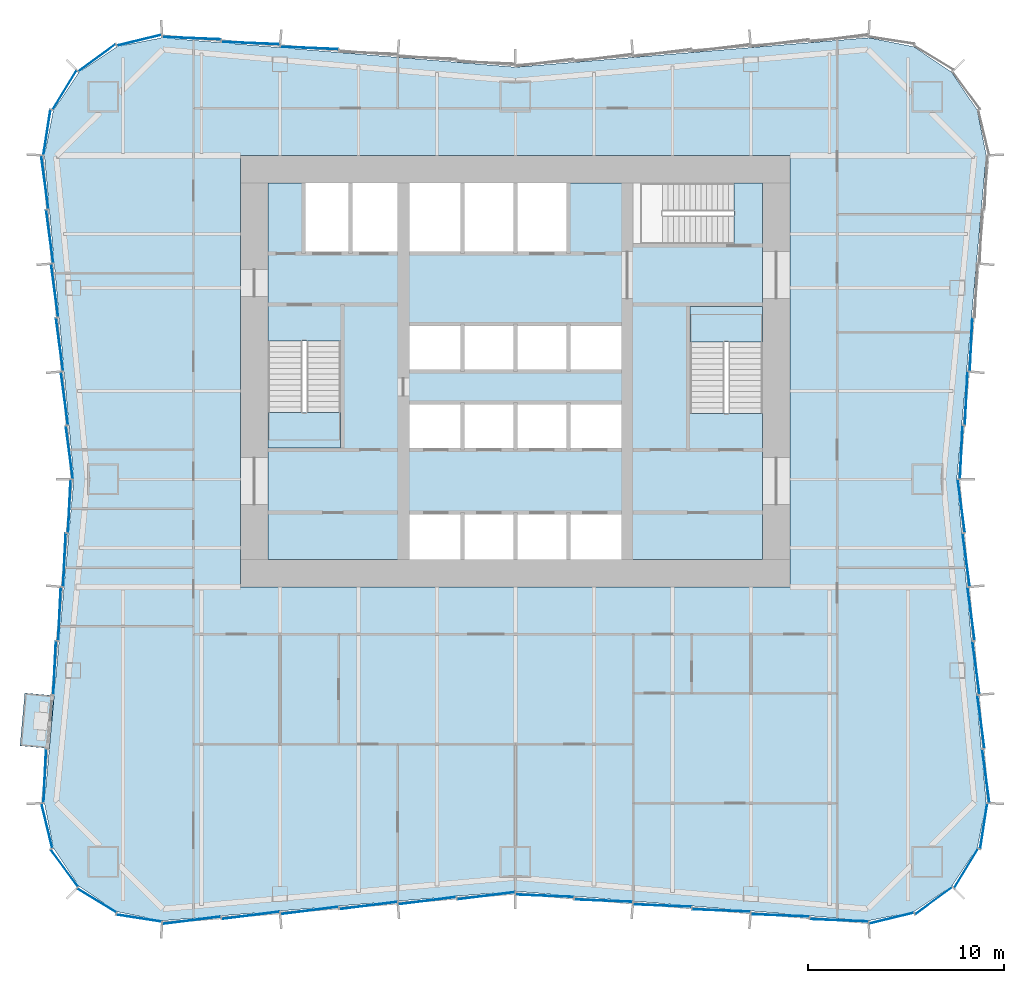
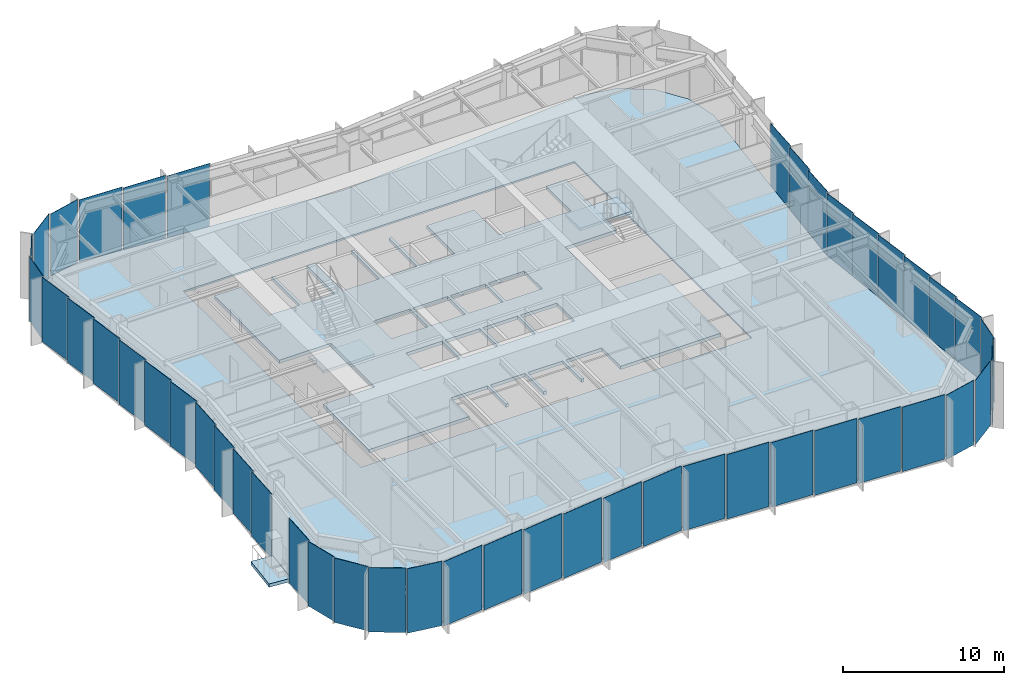
# One storey, part 8 of 14: 47 plates, 5 slabs, 9 elements without a shape of their own.
"""IFC4 building model written with IfcOpenShell, lengths in metres."""

from ifc_helpers import new_model, si_unit, direction, frame, origin, origin_2d, place, context, subcontext, project, spatial, polyline, rectangle, outline, extrude, material, layer, layer_set, type_object, element, aggregate, save


model = new_model("IFC4")

# Units and contexts
model_context = context("Model", 3, precision=1e-05, world=origin(), true_north=direction((0.0, 1.0)))
body_context = subcontext(model_context, "Body", "Model", "MODEL_VIEW")
ifc_project = project(units=[si_unit("LENGTHUNIT", "METRE"), si_unit("AREAUNIT", "SQUARE_METRE"), si_unit("VOLUMEUNIT", "CUBIC_METRE"), si_unit("PLANEANGLEUNIT", "RADIAN"), si_unit("MASSUNIT", "GRAM", prefix="KILO")], contexts=[model_context])

# Site, building, storey
site_placement = place(None, origin())
site = spatial("IfcSite", under=ifc_project, at=site_placement, CompositionType="ELEMENT")
building_placement = place(site_placement, origin())
building = spatial("IfcBuilding", under=site, at=building_placement, Name="Verdant Reach Tower", CompositionType="ELEMENT")
storey_placement = place(building_placement, frame((0.0, 0.0, 9.0)))
storey = spatial("IfcBuildingStorey", under=building, at=storey_placement, Name="L01", CompositionType="ELEMENT", Elevation=9.0)

# Stair, slab
ifc_material_1 = material(Name="Concrete C40/50", Category="concrete")
stair_type = type_object("IfcStairType", Name="CO-STAIR", PredefinedType="HALF_TURN_STAIR", material=ifc_material_1)
stair_1_placement = place(storey_placement, origin())
stair_1 = element("IfcStair", 1, at=stair_1_placement, inside=storey, type_object=stair_type, Name="L01 Exit stair 1", PredefinedType="HALF_TURN_STAIR")
ifc_layer_1 = layer(ifc_material_1, 0.199951171875)
ifc_layer_set_1 = layer_set([ifc_layer_1], Name="CO-STAIR-LANDING")
slab_type_1 = type_object("IfcSlabType", Name="CO-STAIR-LANDING", PredefinedType="LANDING", material=ifc_layer_set_1)
slab_1_placement = place(storey_placement, frame((0.0, 0.0, 2.300048828125)))
slab_1 = element("IfcSlab", 2, at=slab_1_placement, type_object=slab_type_1, Name="ST-1 landing 1", PredefinedType="LANDING", context=body_context, shape_type="SweptSolid", body=[
    extrude(outline(polyline([(-12.60009765625, 25.909912109375), (-12.60009765625, 24.10009765625), (-8.89990234375, 24.10009765625), (-8.89990234375, 25.909912109375), (-12.60009765625, 25.909912109375)])), origin(), (0.0, 0.0, 1.0), 0.199951171875),
])
aggregate(stair_1, [slab_1])

stair_2_placement = place(storey_placement, origin())
stair_2 = element("IfcStair", 3, at=stair_2_placement, inside=storey, type_object=stair_type, Name="L01 Exit stair 2", PredefinedType="HALF_TURN_STAIR")
slab_2_placement = place(storey_placement, frame((0.0, 0.0, 2.300048828125)))
slab_2 = element("IfcSlab", 4, at=slab_2_placement, type_object=slab_type_1, Name="ST-2 landing 1", PredefinedType="LANDING", context=body_context, shape_type="SweptSolid", body=[
    extrude(outline(polyline([(12.60009765625, 29.489990234375), (12.60009765625, 31.300048828125), (8.89990234375, 31.300048828125), (8.89990234375, 29.489990234375), (12.60009765625, 29.489990234375)])), origin(), (0.0, 0.0, 1.0), 0.199951171875),
])
aggregate(stair_2, [slab_2])

# Slab
ifc_material_2 = material(Name="Concrete C35/45", Category="concrete")
ifc_layer_2 = layer(ifc_material_2, 0.25)
ifc_layer_set_2 = layer_set([ifc_layer_2], Name="EN-BALCONY SLAB")
slab_type_2 = type_object("IfcSlabType", Name="EN-BALCONY SLAB", PredefinedType="FLOOR", material=ifc_layer_set_2)
slab_3_placement = place(storey_placement, frame((0.0, 0.0, -0.25)))
element("IfcSlab", 5, at=slab_3_placement, inside=storey, type_object=slab_type_2, Name="Balcony slab 1, L01", PredefinedType="FLOOR", context=body_context, shape_type="SweptSolid", body=[
    extrude(outline(polyline([(-23.502685546875, 11.47021484375), (-23.747314453125, 8.77978515625), (-25.2412109375, 8.915771484375), (-24.99658203125, 11.60595703125), (-23.502685546875, 11.47021484375)])), origin(), (0.0, 0.0, 1.0), 0.25),
])

# Curtain wall, plate
ifc_material_3 = material(Name="Anodised aluminium", Category="aluminium")
curtain_wall_type = type_object("IfcCurtainWallType", Name="EN-CW SYSTEM Z0", PredefinedType="NOTDEFINED", material=ifc_material_3)
curtain_wall_1_placement = place(storey_placement, origin())
curtain_wall_1 = element("IfcCurtainWall", 6, at=curtain_wall_1_placement, inside=storey, type_object=curtain_wall_type, Name="Curtain wall south-east corner, L01", PredefinedType="NOTDEFINED")
ifc_material_4 = material(Name="Tinted glass with champagne spandrel", Category="glass")
ifc_layer_3 = layer(ifc_material_4, 0.031982421875)
ifc_layer_set_3 = layer_set([ifc_layer_3], Name="EN-PANEL CHAMPAGNE")
plate_type_1 = type_object("IfcPlateType", Name="EN-PANEL CHAMPAGNE", PredefinedType="CURTAIN_PANEL", material=ifc_layer_set_3)
plate_1_placement = place(storey_placement, frame((23.86767578125, 4.830078125, -0.22998046875), z_axis=(0.0, 0.0, 1.0), x_axis=(0.154210737778, 0.988037979206, 0.0)))
plate_1 = element("IfcPlate", 7, at=plate_1_placement, type_object=plate_type_1, Name="Glass panel south-east corner 4.1, L01", PredefinedType="CURTAIN_PANEL", context=body_context, shape_type="SweptSolid", body=[
    extrude(rectangle(XDim=2.31884765625, YDim=0.031982421875, at=origin_2d()), origin(), (0.0, 0.0, 1.0), 4.8798828125),
])

# Curtain wall, plates
curtain_wall_2_placement = place(storey_placement, origin())
curtain_wall_2 = element("IfcCurtainWall", 8, at=curtain_wall_2_placement, inside=storey, type_object=curtain_wall_type, Name="Curtain wall east, L01", PredefinedType="NOTDEFINED")
plate_2_placement = place(storey_placement, frame((23.724609375, 10.134033203125, -0.22998046875), z_axis=(0.0, 0.0, 1.0), x_axis=(-0.132160009881, 0.99122839537, 0.0)))
plate_2 = element("IfcPlate", 9, at=plate_2_placement, type_object=plate_type_1, Name="Glass panel east face part 1 2.1, L01", PredefinedType="CURTAIN_PANEL", context=body_context, shape_type="SweptSolid", body=[
    extrude(rectangle(XDim=2.705322265625, YDim=0.031982421875, at=origin_2d()), origin(), (0.0, 0.0, 1.0), 4.8798828125),
])
plate_3_placement = place(storey_placement, frame((23.474609375, 12.884033203125, -0.22998046875), z_axis=(0.0, 0.0, 1.0), x_axis=(-0.132160009881, 0.99122839537, 0.0)))
plate_3 = element("IfcPlate", 10, at=plate_3_placement, type_object=plate_type_1, Name="Glass panel east face part 1 3.1, L01", PredefinedType="CURTAIN_PANEL", context=body_context, shape_type="SweptSolid", body=[
    extrude(rectangle(XDim=2.705322265625, YDim=0.031982421875, at=origin_2d()), origin(), (0.0, 0.0, 1.0), 4.8798828125),
])
plate_4_placement = place(storey_placement, frame((23.224609375, 29.365966796875, -0.22998046875), z_axis=(0.0, 0.0, 1.0), x_axis=(0.04875265175, 0.998810882473, 0.0)))
plate_4 = element("IfcPlate", 11, at=plate_4_placement, type_object=plate_type_1, Name="Glass panel east face part 2 3.1, L01", PredefinedType="CURTAIN_PANEL", context=body_context, shape_type="SweptSolid", body=[
    extrude(rectangle(XDim=2.705322265625, YDim=0.031982421875, at=origin_2d()), origin(), (0.0, 0.0, 1.0), 4.8798828125),
])

curtain_wall_3_placement = place(storey_placement, origin())
curtain_wall_3 = element("IfcCurtainWall", 12, at=curtain_wall_3_placement, inside=storey, type_object=curtain_wall_type, Name="Curtain wall north-west corner, L01", PredefinedType="NOTDEFINED")
plate_5_placement = place(storey_placement, frame((-19.169921875, 44.86767578125, -0.22998046875), z_axis=(0.0, 0.0, 1.0), x_axis=(-0.97166347331, -0.236368556782, 0.0)))
plate_5 = element("IfcPlate", 13, at=plate_5_placement, type_object=plate_type_1, Name="Glass panel north-west corner 1.1, L01", PredefinedType="CURTAIN_PANEL", context=body_context, shape_type="SweptSolid", body=[
    extrude(rectangle(XDim=2.318603515625, YDim=0.031982421875, at=origin_2d()), origin(), (0.0, 0.0, 1.0), 4.8798828125),
])
plate_6_placement = place(storey_placement, frame((-21.32373046875, 43.974609375, -0.22998046875), z_axis=(0.0, 0.0, 1.0), x_axis=(-0.807456745624, -0.589926778461, 0.0)))
plate_6 = element("IfcPlate", 14, at=plate_6_placement, type_object=plate_type_1, Name="Glass panel north-west corner 2.1, L01", PredefinedType="CURTAIN_PANEL", context=body_context, shape_type="SweptSolid", body=[
    extrude(rectangle(XDim=2.32421875, YDim=0.031982421875, at=origin_2d()), origin(), (0.0, 0.0, 1.0), 4.8798828125),
])

curtain_wall_4_placement = place(storey_placement, origin())
curtain_wall_4 = element("IfcCurtainWall", 15, at=curtain_wall_4_placement, inside=storey, type_object=curtain_wall_type, Name="Curtain wall west, L01", PredefinedType="NOTDEFINED")
plate_7_placement = place(storey_placement, frame((-22.724853515625, 23.870361328125, -0.22998046875), z_axis=(0.0, 0.0, 1.0), x_axis=(0.132307913434, -0.991208664229, 0.0)))
plate_7 = element("IfcPlate", 16, at=plate_7_placement, type_object=plate_type_1, Name="Glass panel west face part 1 6.1, L01", PredefinedType="CURTAIN_PANEL", context=body_context, shape_type="SweptSolid", body=[
    extrude(rectangle(XDim=2.6962890625, YDim=0.031982421875, at=origin_2d()), origin(), (0.0, 0.0, 1.0), 4.8798828125),
])
plate_8_placement = place(storey_placement, frame((-22.724853515625, 21.129638671875, -0.22998046875), z_axis=(0.0, 0.0, 1.0), x_axis=(-0.048901687644, -0.998803596782, 0.0)))
plate_8 = element("IfcPlate", 17, at=plate_8_placement, type_object=plate_type_1, Name="Glass panel west face part 2 1.1, L01", PredefinedType="CURTAIN_PANEL", context=body_context, shape_type="SweptSolid", body=[
    extrude(rectangle(XDim=2.6962890625, YDim=0.031982421875, at=origin_2d()), origin(), (0.0, 0.0, 1.0), 4.8798828125),
])

curtain_wall_5_placement = place(storey_placement, origin())
curtain_wall_5 = element("IfcCurtainWall", 18, at=curtain_wall_5_placement, inside=storey, type_object=curtain_wall_type, Name="Curtain wall south, L01", PredefinedType="NOTDEFINED")
plate_9_placement = place(storey_placement, frame((-7.49169921875, 0.775390625, -0.22998046875), z_axis=(0.0, 0.0, 1.0), x_axis=(0.992194034542, 0.124703639961, 0.0)))
plate_9 = element("IfcPlate", 19, at=plate_9_placement, type_object=plate_type_1, Name="Glass panel south face part 1 4.1, L01", PredefinedType="CURTAIN_PANEL", context=body_context, shape_type="SweptSolid", body=[
    extrude(rectangle(XDim=2.954345703125, YDim=0.031982421875, at=origin_2d()), origin(), (0.0, 0.0, 1.0), 4.8798828125),
])
plate_10_placement = place(storey_placement, frame((-4.49169921875, 1.025390625, -0.22998046875), z_axis=(0.0, 0.0, 1.0), x_axis=(0.992194034542, 0.124703639961, 0.0)))
plate_10 = element("IfcPlate", 20, at=plate_10_placement, type_object=plate_type_1, Name="Glass panel south face part 1 5.1, L01", PredefinedType="CURTAIN_PANEL", context=body_context, shape_type="SweptSolid", body=[
    extrude(rectangle(XDim=2.954345703125, YDim=0.031982421875, at=origin_2d()), origin(), (0.0, 0.0, 1.0), 4.8798828125),
])
plate_11_placement = place(storey_placement, frame((13.49169921875, 0.275390625, -0.22998046875), z_axis=(0.0, 0.0, 1.0), x_axis=(0.999149202059, -0.041241629766, 0.0)))
plate_11 = element("IfcPlate", 21, at=plate_11_placement, type_object=plate_type_1, Name="Glass panel south face part 2 5.1, L01", PredefinedType="CURTAIN_PANEL", context=body_context, shape_type="SweptSolid", body=[
    extrude(rectangle(XDim=2.954345703125, YDim=0.031982421875, at=origin_2d()), origin(), (0.0, 0.0, 1.0), 4.8798828125),
])
plate_12_placement = place(storey_placement, frame((16.498779296875, 0.025146484375, -0.22998046875), z_axis=(0.0, 0.0, 1.0), x_axis=(0.999162442933, -0.040919587398, 0.0)))
plate_12 = element("IfcPlate", 22, at=plate_12_placement, type_object=plate_type_1, Name="Glass panel south face part 2 6.1, L01", PredefinedType="CURTAIN_PANEL", context=body_context, shape_type="SweptSolid", body=[
    extrude(rectangle(XDim=2.96826171875, YDim=0.031982421875, at=origin_2d()), origin(), (0.0, 0.0, 1.0), 4.8798828125),
])

# Plate
ifc_material_5 = material(Name="Tinted glass with copper spandrel", Category="glass")
ifc_layer_4 = layer(ifc_material_5, 0.031982421875)
ifc_layer_set_4 = layer_set([ifc_layer_4], Name="EN-PANEL COPPER")
plate_type_2 = type_object("IfcPlateType", Name="EN-PANEL COPPER", PredefinedType="CURTAIN_PANEL", material=ifc_layer_set_4)
plate_13_placement = place(storey_placement, frame((23.224609375, 15.634033203125, -0.22998046875), z_axis=(0.0, 0.0, 1.0), x_axis=(-0.132160009881, 0.99122839537, 0.0)))
plate_13 = element("IfcPlate", 23, at=plate_13_placement, type_object=plate_type_2, Name="Glass panel east face part 1 4.1, L01", PredefinedType="CURTAIN_PANEL", context=body_context, shape_type="SweptSolid", body=[
    extrude(rectangle(XDim=2.705322265625, YDim=0.031982421875, at=origin_2d()), origin(), (0.0, 0.0, 1.0), 4.8798828125),
])

plate_14_placement = place(storey_placement, frame((22.974609375, 18.384033203125, -0.22998046875), z_axis=(0.0, 0.0, 1.0), x_axis=(-0.132160009881, 0.99122839537, 0.0)))
plate_14 = element("IfcPlate", 24, at=plate_14_placement, type_object=plate_type_2, Name="Glass panel east face part 1 5.1, L01", PredefinedType="CURTAIN_PANEL", context=body_context, shape_type="SweptSolid", body=[
    extrude(rectangle(XDim=2.705322265625, YDim=0.031982421875, at=origin_2d()), origin(), (0.0, 0.0, 1.0), 4.8798828125),
])

plate_15_placement = place(storey_placement, frame((22.724853515625, 21.129638671875, -0.22998046875), z_axis=(0.0, 0.0, 1.0), x_axis=(-0.132307913434, 0.991208664229, 0.0)))
plate_15 = element("IfcPlate", 25, at=plate_15_placement, type_object=plate_type_2, Name="Glass panel east face part 1 6.1, L01", PredefinedType="CURTAIN_PANEL", context=body_context, shape_type="SweptSolid", body=[
    extrude(rectangle(XDim=2.6962890625, YDim=0.031982421875, at=origin_2d()), origin(), (0.0, 0.0, 1.0), 4.8798828125),
])

# Curtain wall, plates
curtain_wall_6_placement = place(storey_placement, origin())
curtain_wall_6 = element("IfcCurtainWall", 26, at=curtain_wall_6_placement, inside=storey, type_object=curtain_wall_type, Name="Curtain wall north, L01", PredefinedType="NOTDEFINED")
plate_16_placement = place(storey_placement, frame((-10.49169921875, 44.474609375, -0.22998046875), z_axis=(0.0, 0.0, 1.0), x_axis=(-0.999149202059, 0.041241629766, 0.0)))
plate_16 = element("IfcPlate", 27, at=plate_16_placement, type_object=plate_type_2, Name="Glass panel north face part 2 4.1, L01", PredefinedType="CURTAIN_PANEL", context=body_context, shape_type="SweptSolid", body=[
    extrude(rectangle(XDim=2.954345703125, YDim=0.031982421875, at=origin_2d()), origin(), (0.0, 0.0, 1.0), 4.8798828125),
])
plate_17_placement = place(storey_placement, frame((-13.49169921875, 44.724609375, -0.22998046875), z_axis=(0.0, 0.0, 1.0), x_axis=(-0.999149202059, 0.041241629766, 0.0)))
plate_17 = element("IfcPlate", 28, at=plate_17_placement, type_object=plate_type_2, Name="Glass panel north face part 2 5.1, L01", PredefinedType="CURTAIN_PANEL", context=body_context, shape_type="SweptSolid", body=[
    extrude(rectangle(XDim=2.954345703125, YDim=0.031982421875, at=origin_2d()), origin(), (0.0, 0.0, 1.0), 4.8798828125),
])
plate_18_placement = place(storey_placement, frame((-16.498779296875, 44.974853515625, -0.22998046875), z_axis=(0.0, 0.0, 1.0), x_axis=(-0.999162442933, 0.040919587398, 0.0)))
plate_18 = element("IfcPlate", 29, at=plate_18_placement, type_object=plate_type_2, Name="Glass panel north face part 2 6.1, L01", PredefinedType="CURTAIN_PANEL", context=body_context, shape_type="SweptSolid", body=[
    extrude(rectangle(XDim=2.96826171875, YDim=0.031982421875, at=origin_2d()), origin(), (0.0, 0.0, 1.0), 4.8798828125),
])
aggregate(curtain_wall_6, [plate_16, plate_17, plate_18])

# Plate
plate_19_placement = place(storey_placement, frame((-22.974609375, 42.32373046875, -0.22998046875), z_axis=(0.0, 0.0, 1.0), x_axis=(-0.520291583159, -0.853988681713, 0.0)))
plate_19 = element("IfcPlate", 30, at=plate_19_placement, type_object=plate_type_2, Name="Glass panel north-west corner 3.1, L01", PredefinedType="CURTAIN_PANEL", context=body_context, shape_type="SweptSolid", body=[
    extrude(rectangle(XDim=2.32421875, YDim=0.031982421875, at=origin_2d()), origin(), (0.0, 0.0, 1.0), 4.8798828125),
])

plate_20_placement = place(storey_placement, frame((-23.86767578125, 40.169921875, -0.22998046875), z_axis=(0.0, 0.0, 1.0), x_axis=(-0.154210737778, -0.988037979206, 0.0)))
plate_20 = element("IfcPlate", 31, at=plate_20_placement, type_object=plate_type_2, Name="Glass panel north-west corner 4.1, L01", PredefinedType="CURTAIN_PANEL", context=body_context, shape_type="SweptSolid", body=[
    extrude(rectangle(XDim=2.31884765625, YDim=0.031982421875, at=origin_2d()), origin(), (0.0, 0.0, 1.0), 4.8798828125),
])

aggregate(curtain_wall_3, [plate_5, plate_6, plate_19, plate_20])

plate_21_placement = place(storey_placement, frame((-23.974609375, 37.623046875, -0.22998046875), z_axis=(0.0, 0.0, 1.0), x_axis=(0.131792939527, -0.991277267514, 0.0)))
plate_21 = element("IfcPlate", 32, at=plate_21_placement, type_object=plate_type_2, Name="Glass panel west face part 1 1.1, L01", PredefinedType="CURTAIN_PANEL", context=body_context, shape_type="SweptSolid", body=[
    extrude(rectangle(XDim=2.7197265625, YDim=0.031982421875, at=origin_2d()), origin(), (0.0, 0.0, 1.0), 4.8798828125),
])

plate_22_placement = place(storey_placement, frame((-23.724609375, 34.865966796875, -0.22998046875), z_axis=(0.0, 0.0, 1.0), x_axis=(0.132160009881, -0.99122839537, 0.0)))
plate_22 = element("IfcPlate", 33, at=plate_22_placement, type_object=plate_type_2, Name="Glass panel west face part 1 2.1, L01", PredefinedType="CURTAIN_PANEL", context=body_context, shape_type="SweptSolid", body=[
    extrude(rectangle(XDim=2.705322265625, YDim=0.031982421875, at=origin_2d()), origin(), (0.0, 0.0, 1.0), 4.8798828125),
])

plate_23_placement = place(storey_placement, frame((-22.974609375, 18.384033203125, -0.22998046875), z_axis=(0.0, 0.0, 1.0), x_axis=(-0.04875265175, -0.998810882473, 0.0)))
plate_23 = element("IfcPlate", 34, at=plate_23_placement, type_object=plate_type_2, Name="Glass panel west face part 2 2.1, L01", PredefinedType="CURTAIN_PANEL", context=body_context, shape_type="SweptSolid", body=[
    extrude(rectangle(XDim=2.705322265625, YDim=0.031982421875, at=origin_2d()), origin(), (0.0, 0.0, 1.0), 4.8798828125),
])

plate_24_placement = place(storey_placement, frame((-23.224609375, 15.634033203125, -0.22998046875), z_axis=(0.0, 0.0, 1.0), x_axis=(-0.04875265175, -0.998810882473, 0.0)))
plate_24 = element("IfcPlate", 35, at=plate_24_placement, type_object=plate_type_2, Name="Glass panel west face part 2 3.1, L01", PredefinedType="CURTAIN_PANEL", context=body_context, shape_type="SweptSolid", body=[
    extrude(rectangle(XDim=2.705322265625, YDim=0.031982421875, at=origin_2d()), origin(), (0.0, 0.0, 1.0), 4.8798828125),
])

plate_25_placement = place(storey_placement, frame((-23.474609375, 12.884033203125, -0.22998046875), z_axis=(0.0, 0.0, 1.0), x_axis=(-0.04875265175, -0.998810882473, 0.0)))
plate_25 = element("IfcPlate", 36, at=plate_25_placement, type_object=plate_type_2, Name="Glass panel west face part 2 4.1, L01", PredefinedType="CURTAIN_PANEL", context=body_context, shape_type="SweptSolid", body=[
    extrude(rectangle(XDim=2.705322265625, YDim=0.031982421875, at=origin_2d()), origin(), (0.0, 0.0, 1.0), 4.8798828125),
])

# Curtain wall, plates
curtain_wall_7_placement = place(storey_placement, origin())
curtain_wall_7 = element("IfcCurtainWall", 37, at=curtain_wall_7_placement, inside=storey, type_object=curtain_wall_type, Name="Curtain wall south-west corner, L01", PredefinedType="NOTDEFINED")
plate_26_placement = place(storey_placement, frame((-23.86767578125, 4.830078125, -0.22998046875), z_axis=(0.0, 0.0, 1.0), x_axis=(0.236346786246, -0.97166876899, 0.0)))
plate_26 = element("IfcPlate", 38, at=plate_26_placement, type_object=plate_type_2, Name="Glass panel south-west corner 1.1, L01", PredefinedType="CURTAIN_PANEL", context=body_context, shape_type="SweptSolid", body=[
    extrude(rectangle(XDim=2.31884765625, YDim=0.031982421875, at=origin_2d()), origin(), (0.0, 0.0, 1.0), 4.8798828125),
])
plate_27_placement = place(storey_placement, frame((-22.974609375, 2.67626953125, -0.22998046875), z_axis=(0.0, 0.0, 1.0), x_axis=(0.589926778461, -0.807456745624, 0.0)))
plate_27 = element("IfcPlate", 39, at=plate_27_placement, type_object=plate_type_2, Name="Glass panel south-west corner 2.1, L01", PredefinedType="CURTAIN_PANEL", context=body_context, shape_type="SweptSolid", body=[
    extrude(rectangle(XDim=2.32421875, YDim=0.031982421875, at=origin_2d()), origin(), (0.0, 0.0, 1.0), 4.8798828125),
])

# Plate
plate_28_placement = place(storey_placement, frame((-1.495849609375, 1.275146484375, -0.22998046875), z_axis=(0.0, 0.0, 1.0), x_axis=(0.992179679439, 0.124817802047, 0.0)))
plate_28 = element("IfcPlate", 40, at=plate_28_placement, type_object=plate_type_2, Name="Glass panel south face part 1 6.1, L01", PredefinedType="CURTAIN_PANEL", context=body_context, shape_type="SweptSolid", body=[
    extrude(rectangle(XDim=2.946044921875, YDim=0.031982421875, at=origin_2d()), origin(), (0.0, 0.0, 1.0), 4.8798828125),
])

plate_29_placement = place(storey_placement, frame((1.495849609375, 1.275146484375, -0.22998046875), z_axis=(0.0, 0.0, 1.0), x_axis=(0.999144450138, -0.041356592674, 0.0)))
plate_29 = element("IfcPlate", 41, at=plate_29_placement, type_object=plate_type_2, Name="Glass panel south face part 2 1.1, L01", PredefinedType="CURTAIN_PANEL", context=body_context, shape_type="SweptSolid", body=[
    extrude(rectangle(XDim=2.946044921875, YDim=0.031982421875, at=origin_2d()), origin(), (0.0, 0.0, 1.0), 4.8798828125),
])

plate_30_placement = place(storey_placement, frame((4.49169921875, 1.025390625, -0.22998046875), z_axis=(0.0, 0.0, 1.0), x_axis=(0.999149202059, -0.041241629766, 0.0)))
plate_30 = element("IfcPlate", 42, at=plate_30_placement, type_object=plate_type_2, Name="Glass panel south face part 2 2.1, L01", PredefinedType="CURTAIN_PANEL", context=body_context, shape_type="SweptSolid", body=[
    extrude(rectangle(XDim=2.954345703125, YDim=0.031982421875, at=origin_2d()), origin(), (0.0, 0.0, 1.0), 4.8798828125),
])

ifc_material_6 = material(Name="Tinted glass with dark bronze spandrel", Category="glass")
ifc_layer_5 = layer(ifc_material_6, 0.031982421875)
ifc_layer_set_5 = layer_set([ifc_layer_5], Name="EN-PANEL DARK")
plate_type_3 = type_object("IfcPlateType", Name="EN-PANEL DARK", PredefinedType="CURTAIN_PANEL", material=ifc_layer_set_5)
plate_31_placement = place(storey_placement, frame((19.169921875, 0.13232421875, -0.22998046875), z_axis=(0.0, 0.0, 1.0), x_axis=(0.97166347331, 0.236368556782, 0.0)))
plate_31 = element("IfcPlate", 43, at=plate_31_placement, type_object=plate_type_3, Name="Glass panel south-east corner 1.1, L01", PredefinedType="CURTAIN_PANEL", context=body_context, shape_type="SweptSolid", body=[
    extrude(rectangle(XDim=2.318603515625, YDim=0.031982421875, at=origin_2d()), origin(), (0.0, 0.0, 1.0), 4.8798828125),
])

plate_32_placement = place(storey_placement, frame((21.32373046875, 1.025390625, -0.22998046875), z_axis=(0.0, 0.0, 1.0), x_axis=(0.807456745624, 0.589926778461, 0.0)))
plate_32 = element("IfcPlate", 44, at=plate_32_placement, type_object=plate_type_3, Name="Glass panel south-east corner 2.1, L01", PredefinedType="CURTAIN_PANEL", context=body_context, shape_type="SweptSolid", body=[
    extrude(rectangle(XDim=2.32421875, YDim=0.031982421875, at=origin_2d()), origin(), (0.0, 0.0, 1.0), 4.8798828125),
])

plate_33_placement = place(storey_placement, frame((22.974609375, 2.67626953125, -0.22998046875), z_axis=(0.0, 0.0, 1.0), x_axis=(0.520291583159, 0.853988681713, 0.0)))
plate_33 = element("IfcPlate", 45, at=plate_33_placement, type_object=plate_type_3, Name="Glass panel south-east corner 3.1, L01", PredefinedType="CURTAIN_PANEL", context=body_context, shape_type="SweptSolid", body=[
    extrude(rectangle(XDim=2.32421875, YDim=0.031982421875, at=origin_2d()), origin(), (0.0, 0.0, 1.0), 4.8798828125),
])

aggregate(curtain_wall_1, [plate_31, plate_32, plate_33, plate_1])

plate_34_placement = place(storey_placement, frame((23.974609375, 7.376953125, -0.22998046875), z_axis=(0.0, 0.0, 1.0), x_axis=(-0.131792939527, 0.991277267514, 0.0)))
plate_34 = element("IfcPlate", 46, at=plate_34_placement, type_object=plate_type_3, Name="Glass panel east face part 1 1.1, L01", PredefinedType="CURTAIN_PANEL", context=body_context, shape_type="SweptSolid", body=[
    extrude(rectangle(XDim=2.7197265625, YDim=0.031982421875, at=origin_2d()), origin(), (0.0, 0.0, 1.0), 4.8798828125),
])

plate_35_placement = place(storey_placement, frame((22.724853515625, 23.870361328125, -0.22998046875), z_axis=(0.0, 0.0, 1.0), x_axis=(0.048901687644, 0.998803596782, 0.0)))
plate_35 = element("IfcPlate", 47, at=plate_35_placement, type_object=plate_type_3, Name="Glass panel east face part 2 1.1, L01", PredefinedType="CURTAIN_PANEL", context=body_context, shape_type="SweptSolid", body=[
    extrude(rectangle(XDim=2.6962890625, YDim=0.031982421875, at=origin_2d()), origin(), (0.0, 0.0, 1.0), 4.8798828125),
])

plate_36_placement = place(storey_placement, frame((22.974609375, 26.615966796875, -0.22998046875), z_axis=(0.0, 0.0, 1.0), x_axis=(0.04875265175, 0.998810882473, 0.0)))
plate_36 = element("IfcPlate", 48, at=plate_36_placement, type_object=plate_type_3, Name="Glass panel east face part 2 2.1, L01", PredefinedType="CURTAIN_PANEL", context=body_context, shape_type="SweptSolid", body=[
    extrude(rectangle(XDim=2.705322265625, YDim=0.031982421875, at=origin_2d()), origin(), (0.0, 0.0, 1.0), 4.8798828125),
])

aggregate(curtain_wall_2, [plate_34, plate_2, plate_3, plate_13, plate_14, plate_15, plate_35, plate_36, plate_4])

plate_37_placement = place(storey_placement, frame((-23.474609375, 32.115966796875, -0.22998046875), z_axis=(0.0, 0.0, 1.0), x_axis=(0.132160009881, -0.99122839537, 0.0)))
plate_37 = element("IfcPlate", 49, at=plate_37_placement, type_object=plate_type_3, Name="Glass panel west face part 1 3.1, L01", PredefinedType="CURTAIN_PANEL", context=body_context, shape_type="SweptSolid", body=[
    extrude(rectangle(XDim=2.705322265625, YDim=0.031982421875, at=origin_2d()), origin(), (0.0, 0.0, 1.0), 4.8798828125),
])

plate_38_placement = place(storey_placement, frame((-23.224609375, 29.365966796875, -0.22998046875), z_axis=(0.0, 0.0, 1.0), x_axis=(0.132160009881, -0.99122839537, 0.0)))
plate_38 = element("IfcPlate", 50, at=plate_38_placement, type_object=plate_type_3, Name="Glass panel west face part 1 4.1, L01", PredefinedType="CURTAIN_PANEL", context=body_context, shape_type="SweptSolid", body=[
    extrude(rectangle(XDim=2.705322265625, YDim=0.031982421875, at=origin_2d()), origin(), (0.0, 0.0, 1.0), 4.8798828125),
])

plate_39_placement = place(storey_placement, frame((-22.974609375, 26.615966796875, -0.22998046875), z_axis=(0.0, 0.0, 1.0), x_axis=(0.132160009881, -0.99122839537, 0.0)))
plate_39 = element("IfcPlate", 51, at=plate_39_placement, type_object=plate_type_3, Name="Glass panel west face part 1 5.1, L01", PredefinedType="CURTAIN_PANEL", context=body_context, shape_type="SweptSolid", body=[
    extrude(rectangle(XDim=2.705322265625, YDim=0.031982421875, at=origin_2d()), origin(), (0.0, 0.0, 1.0), 4.8798828125),
])

plate_40_placement = place(storey_placement, frame((-23.974609375, 7.376953125, -0.22998046875), z_axis=(0.0, 0.0, 1.0), x_axis=(-0.048382779248, -0.998828867561, 0.0)))
plate_40 = element("IfcPlate", 52, at=plate_40_placement, type_object=plate_type_3, Name="Glass panel west face part 2 6.1, L01", PredefinedType="CURTAIN_PANEL", context=body_context, shape_type="SweptSolid", body=[
    extrude(rectangle(XDim=2.7197265625, YDim=0.031982421875, at=origin_2d()), origin(), (0.0, 0.0, 1.0), 4.8798828125),
])

aggregate(curtain_wall_4, [plate_21, plate_22, plate_37, plate_38, plate_39, plate_7, plate_8, plate_23, plate_24, plate_25, plate_40])

plate_41_placement = place(storey_placement, frame((-21.32373046875, 1.025390625, -0.22998046875), z_axis=(0.0, 0.0, 1.0), x_axis=(0.853988681713, -0.520291583159, 0.0)))
plate_41 = element("IfcPlate", 53, at=plate_41_placement, type_object=plate_type_3, Name="Glass panel south-west corner 3.1, L01", PredefinedType="CURTAIN_PANEL", context=body_context, shape_type="SweptSolid", body=[
    extrude(rectangle(XDim=2.32421875, YDim=0.031982421875, at=origin_2d()), origin(), (0.0, 0.0, 1.0), 4.8798828125),
])

plate_42_placement = place(storey_placement, frame((-19.169921875, 0.13232421875, -0.22998046875), z_axis=(0.0, 0.0, 1.0), x_axis=(0.98803452381, -0.154232875093, 0.0)))
plate_42 = element("IfcPlate", 54, at=plate_42_placement, type_object=plate_type_3, Name="Glass panel south-west corner 4.1, L01", PredefinedType="CURTAIN_PANEL", context=body_context, shape_type="SweptSolid", body=[
    extrude(rectangle(XDim=2.318603515625, YDim=0.031982421875, at=origin_2d()), origin(), (0.0, 0.0, 1.0), 4.8798828125),
])

aggregate(curtain_wall_7, [plate_26, plate_27, plate_41, plate_42])

plate_43_placement = place(storey_placement, frame((-16.498779296875, 0.025146484375, -0.22998046875), z_axis=(0.0, 0.0, 1.0), x_axis=(0.992234176789, 0.124383835008, 0.0)))
plate_43 = element("IfcPlate", 55, at=plate_43_placement, type_object=plate_type_3, Name="Glass panel south face part 1 1.1, L01", PredefinedType="CURTAIN_PANEL", context=body_context, shape_type="SweptSolid", body=[
    extrude(rectangle(XDim=2.96826171875, YDim=0.031982421875, at=origin_2d()), origin(), (0.0, 0.0, 1.0), 4.8798828125),
])

plate_44_placement = place(storey_placement, frame((-13.49169921875, 0.275390625, -0.22998046875), z_axis=(0.0, 0.0, 1.0), x_axis=(0.992194034542, 0.124703639961, 0.0)))
plate_44 = element("IfcPlate", 56, at=plate_44_placement, type_object=plate_type_3, Name="Glass panel south face part 1 2.1, L01", PredefinedType="CURTAIN_PANEL", context=body_context, shape_type="SweptSolid", body=[
    extrude(rectangle(XDim=2.954345703125, YDim=0.031982421875, at=origin_2d()), origin(), (0.0, 0.0, 1.0), 4.8798828125),
])

plate_45_placement = place(storey_placement, frame((-10.49169921875, 0.525390625, -0.22998046875), z_axis=(0.0, 0.0, 1.0), x_axis=(0.992194034542, 0.124703639961, 0.0)))
plate_45 = element("IfcPlate", 57, at=plate_45_placement, type_object=plate_type_3, Name="Glass panel south face part 1 3.1, L01", PredefinedType="CURTAIN_PANEL", context=body_context, shape_type="SweptSolid", body=[
    extrude(rectangle(XDim=2.954345703125, YDim=0.031982421875, at=origin_2d()), origin(), (0.0, 0.0, 1.0), 4.8798828125),
])

plate_46_placement = place(storey_placement, frame((7.49169921875, 0.775390625, -0.22998046875), z_axis=(0.0, 0.0, 1.0), x_axis=(0.999149202059, -0.041241629766, 0.0)))
plate_46 = element("IfcPlate", 58, at=plate_46_placement, type_object=plate_type_3, Name="Glass panel south face part 2 3.1, L01", PredefinedType="CURTAIN_PANEL", context=body_context, shape_type="SweptSolid", body=[
    extrude(rectangle(XDim=2.954345703125, YDim=0.031982421875, at=origin_2d()), origin(), (0.0, 0.0, 1.0), 4.8798828125),
])

plate_47_placement = place(storey_placement, frame((10.49169921875, 0.525390625, -0.22998046875), z_axis=(0.0, 0.0, 1.0), x_axis=(0.999149202059, -0.041241629766, 0.0)))
plate_47 = element("IfcPlate", 59, at=plate_47_placement, type_object=plate_type_3, Name="Glass panel south face part 2 4.1, L01", PredefinedType="CURTAIN_PANEL", context=body_context, shape_type="SweptSolid", body=[
    extrude(rectangle(XDim=2.954345703125, YDim=0.031982421875, at=origin_2d()), origin(), (0.0, 0.0, 1.0), 4.8798828125),
])

aggregate(curtain_wall_5, [plate_43, plate_44, plate_45, plate_9, plate_10, plate_28, plate_29, plate_30, plate_46, plate_47, plate_11, plate_12])

# Slabs
ifc_material_7 = material(Name="Concrete C35/45", Category="concrete")
ifc_layer_6 = layer(ifc_material_7, 0.1298828125)
ifc_layer_set_6 = layer_set([ifc_layer_6], Name="ST-SLAB-130")
slab_type_3 = type_object("IfcSlabType", Name="ST-SLAB-130", PredefinedType="FLOOR", material=ifc_layer_set_6)
slab_4_placement = place(storey_placement, frame((0.0, 0.0, -0.1298828125)))
element("IfcSlab", 60, at=slab_4_placement, inside=storey, type_object=slab_type_3, Name="Floor slab L01", PredefinedType="FLOOR", context=body_context, shape_type="SweptSolid", body=[
    extrude(outline(polyline([(0.0, 1.5), (-18.0, 0.0), (-20.296142578125, 0.456787109375), (-22.24267578125, 1.75732421875), (-23.543212890625, 3.703857421875), (-24.0, 6.0), (-22.5, 22.5), (-24.0, 39.0), (-23.543212890625, 41.296142578125), (-22.24267578125, 43.24267578125), (-20.296142578125, 44.543212890625), (-18.0, 45.0), (0.0, 43.5), (18.0, 45.0), (20.296142578125, 44.543212890625), (22.24267578125, 43.24267578125), (23.543212890625, 41.296142578125), (24.0, 39.0), (22.5, 22.5), (24.0, 6.0), (23.543212890625, 3.703857421875), (22.24267578125, 1.75732421875), (20.296142578125, 0.456787109375), (18.0, 0.0), (0.0, 1.5)]), holes=[polyline([(14.0, 39.0), (-14.0, 39.0), (-14.0, 17.0), (14.0, 17.0), (14.0, 39.0)])]), origin(), (0.0, 0.0, 1.0), 0.1298828125),
])
ifc_layer_7 = layer(ifc_material_7, 0.25)
ifc_layer_set_7 = layer_set([ifc_layer_7], Name="ST-SLAB-250")
slab_type_4 = type_object("IfcSlabType", Name="ST-SLAB-250", PredefinedType="FLOOR", material=ifc_layer_set_7)
slab_5_placement = place(storey_placement, frame((0.0, 0.0, -0.25)))
element("IfcSlab", 61, at=slab_5_placement, inside=storey, type_object=slab_type_4, Name="Core floor slab L01", PredefinedType="FLOOR", context=body_context, shape_type="SweptSolid", body=[
    extrude(outline(polyline([(12.60009765625, 18.39990234375), (5.39990234375, 18.39990234375), (5.39990234375, 20.699951171875), (2.800048828125, 20.699951171875), (2.800048828125, 18.39990234375), (2.60009765625, 18.39990234375), (2.60009765625, 20.699951171875), (0.10009765625, 20.699951171875), (0.10009765625, 18.39990234375), (-0.10009765625, 18.39990234375), (-0.10009765625, 20.699951171875), (-2.60009765625, 20.699951171875), (-2.60009765625, 18.39990234375), (-2.800048828125, 18.39990234375), (-2.800048828125, 20.699951171875), (-5.39990234375, 20.699951171875), (-5.39990234375, 18.39990234375), (-12.60009765625, 18.39990234375), (-12.60009765625, 24.10009765625), (-8.89990234375, 24.10009765625), (-8.89990234375, 29.548095703125), (-12.60009765625, 29.548095703125), (-12.60009765625, 37.60009765625), (-10.699951171875, 37.60009765625), (-10.699951171875, 34.10009765625), (-8.5, 34.10009765625), (-8.5, 37.60009765625), (-8.300048828125, 37.60009765625), (-8.300048828125, 34.10009765625), (-6.0, 34.10009765625), (-6.0, 37.60009765625), (-5.39990234375, 37.60009765625), (-5.39990234375, 34.10009765625), (-2.800048828125, 34.10009765625), (-2.800048828125, 37.60009765625), (-2.60009765625, 37.60009765625), (-2.60009765625, 34.10009765625), (-0.10009765625, 34.10009765625), (-0.10009765625, 37.60009765625), (0.10009765625, 37.60009765625), (0.10009765625, 34.10009765625), (2.60009765625, 34.10009765625), (2.60009765625, 37.60009765625), (6.0, 37.60009765625), (6.0, 34.5), (11.14794921875, 34.5), (11.14794921875, 37.60009765625), (12.60009765625, 37.60009765625), (12.60009765625, 31.300048828125), (8.89990234375, 31.300048828125), (8.89990234375, 25.85205078125), (12.60009765625, 25.85205078125), (12.60009765625, 18.39990234375)]), holes=[polyline([(-2.800048828125, 24.10009765625), (-2.800048828125, 26.300048828125), (-5.39990234375, 26.300048828125), (-5.39990234375, 24.10009765625), (-2.800048828125, 24.10009765625)]), polyline([(-2.60009765625, 24.10009765625), (-0.10009765625, 24.10009765625), (-0.10009765625, 26.300048828125), (-2.60009765625, 26.300048828125), (-2.60009765625, 24.10009765625)]), polyline([(-2.800048828125, 28.10009765625), (-2.800048828125, 30.300048828125), (-5.39990234375, 30.300048828125), (-5.39990234375, 28.10009765625), (-2.800048828125, 28.10009765625)]), polyline([(-0.10009765625, 28.10009765625), (-0.10009765625, 30.300048828125), (-2.60009765625, 30.300048828125), (-2.60009765625, 28.10009765625), (-0.10009765625, 28.10009765625)]), polyline([(2.60009765625, 24.10009765625), (2.60009765625, 26.300048828125), (0.10009765625, 26.300048828125), (0.10009765625, 24.10009765625), (2.60009765625, 24.10009765625)]), polyline([(2.800048828125, 24.10009765625), (5.39990234375, 24.10009765625), (5.39990234375, 26.300048828125), (2.800048828125, 26.300048828125), (2.800048828125, 24.10009765625)]), polyline([(2.60009765625, 28.10009765625), (2.60009765625, 30.300048828125), (0.10009765625, 30.300048828125), (0.10009765625, 28.10009765625), (2.60009765625, 28.10009765625)]), polyline([(5.39990234375, 28.10009765625), (5.39990234375, 30.300048828125), (2.800048828125, 30.300048828125), (2.800048828125, 28.10009765625), (5.39990234375, 28.10009765625)])]), origin(), (0.0, 0.0, 1.0), 0.25),
])

save(model, "model.ifc")
